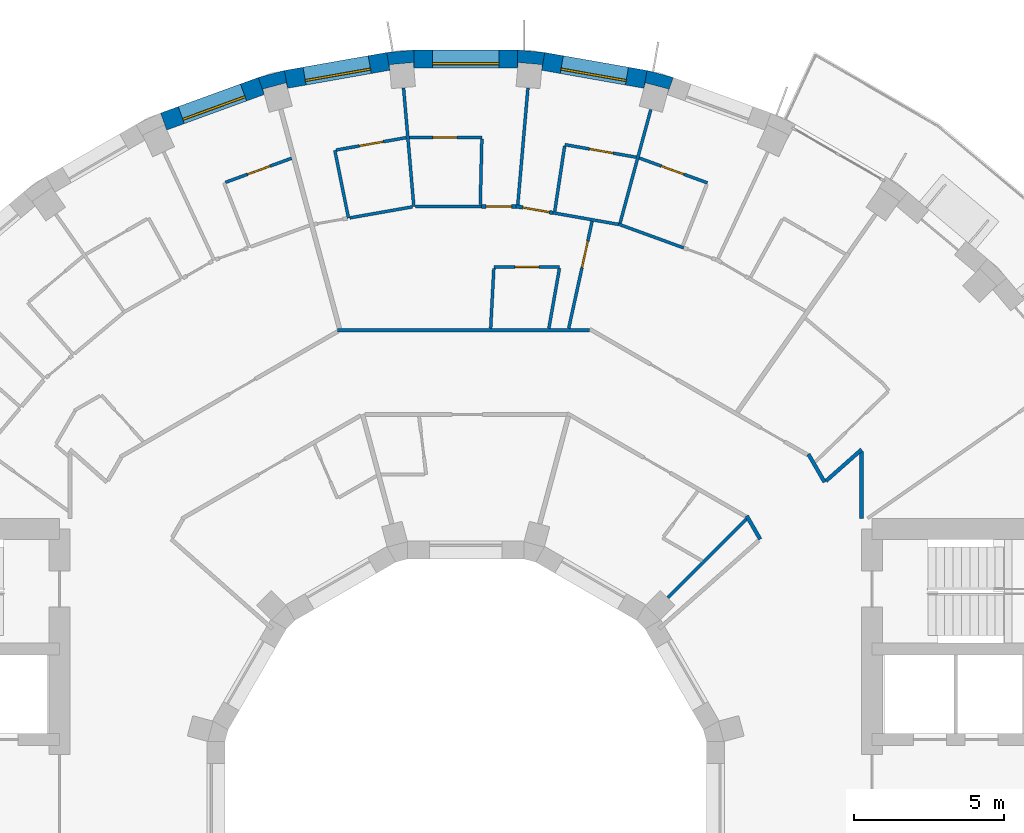
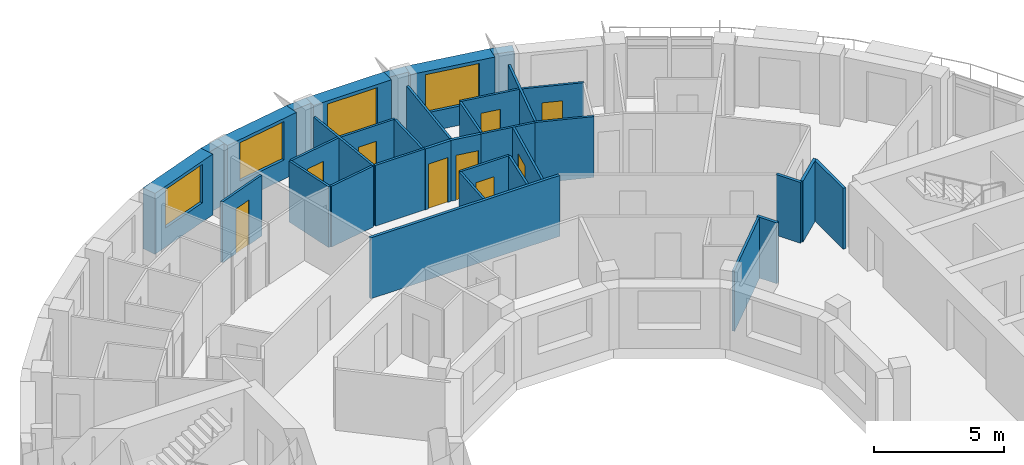
# One storey, part 12 of 15: 35 walls, 9 doors, 4 windows, 13 openings.
"""IFC4 building model written with IfcOpenShell, lengths in metres."""

from ifc_helpers import new_model, si_unit, direction, frame, frame_2d, origin, place, context, subcontext, project, spatial, polyline, rectangle, outline, extrude, material, layer, layer_set, type_object, element, fill, save


model = new_model("IFC4")

# Units and contexts
model_context = context("Model", 3, precision=1e-05, world=origin(), true_north=direction((0.0, 1.0)))
body_context = subcontext(model_context, "Body", "Model", "MODEL_VIEW")
ifc_project = project(units=[si_unit("LENGTHUNIT", "METRE"), si_unit("AREAUNIT", "SQUARE_METRE"), si_unit("VOLUMEUNIT", "CUBIC_METRE"), si_unit("PLANEANGLEUNIT", "RADIAN"), si_unit("MASSUNIT", "GRAM", prefix="KILO")], contexts=[model_context])

# Site, building, storey
site_placement = place(None, origin())
site = spatial("IfcSite", under=ifc_project, at=site_placement, CompositionType="ELEMENT")
building_placement = place(site_placement, origin())
building = spatial("IfcBuilding", under=site, at=building_placement, Name="Saqina Gate Tower", CompositionType="ELEMENT")
storey_placement = place(building_placement, frame((0.0, 0.0, 197.10009765625)))
storey = spatial("IfcBuildingStorey", under=building, at=storey_placement, Name="L56", CompositionType="ELEMENT", Elevation=197.10009765625)

# Walls
ifc_material_1 = material(Name="Brick masonry (buff)", Category="masonry")
wall_type_1 = type_object("IfcWallType", Name="BRICK PIER COPING BUFF", PredefinedType="SOLIDWALL", material=ifc_material_1)
wall_1_placement = place(storey_placement, origin())
element("IfcWall", 1, at=wall_1_placement, inside=storey, type_object=wall_type_1, Name="Pier cap L56 column 8", PredefinedType="SOLIDWALL", context=body_context, shape_type="SweptSolid", body=[
    extrude(outline(polyline([(6.0234375, 24.22705078125), (5.919189453125, 23.635986328125), (5.967529296875, 23.81689453125), (6.740478515625, 23.610107421875), (6.69189453125, 23.428955078125), (6.897216796875, 23.992919921875), (6.0234375, 24.22705078125)])), origin(), (0.0, 0.0, 1.0), 2.849853515625),
])
wall_2_placement = place(storey_placement, origin())
element("IfcWall", 2, at=wall_2_placement, inside=storey, type_object=wall_type_1, Name="Pier cap L56 column 9", PredefinedType="SOLIDWALL", context=body_context, shape_type="SweptSolid", body=[
    extrude(outline(polyline([(2.6259765625, 24.825927734375), (1.724853515625, 24.90478515625), (1.724853515625, 24.304931640625), (1.7412109375, 24.491455078125), (2.5380859375, 24.421630859375), (2.521728515625, 24.235107421875), (2.6259765625, 24.825927734375)])), origin(), (0.0, 0.0, 1.0), 2.849853515625),
])
wall_3_placement = place(storey_placement, origin())
element("IfcWall", 3, at=wall_3_placement, inside=storey, type_object=wall_type_1, Name="Pier cap L56 column 10", PredefinedType="SOLIDWALL", context=body_context, shape_type="SweptSolid", body=[
    extrude(outline(polyline([(-1.724853515625, 24.90478515625), (-2.6259765625, 24.825927734375), (-2.521728515625, 24.235107421875), (-2.5380859375, 24.421630859375), (-1.7412109375, 24.491455078125), (-1.724853515625, 24.304931640625), (-1.724853515625, 24.90478515625)])), origin(), (0.0, 0.0, 1.0), 2.849853515625),
])
wall_4_placement = place(storey_placement, origin())
element("IfcWall", 4, at=wall_4_placement, inside=storey, type_object=wall_type_1, Name="Pier cap L56 column 11", PredefinedType="SOLIDWALL", context=body_context, shape_type="SweptSolid", body=[
    extrude(outline(polyline([(-6.0234375, 24.22705078125), (-6.897216796875, 23.992919921875), (-6.69189453125, 23.428955078125), (-6.740478515625, 23.610107421875), (-5.967529296875, 23.81689453125), (-5.919189453125, 23.635986328125), (-6.0234375, 24.22705078125)])), origin(), (0.0, 0.0, 1.0), 2.849853515625),
])

# Wall, opening, window
ifc_material_2 = material(Name="Brick masonry (buff)", Category="masonry")
ifc_layer_1 = layer(ifc_material_2, 0.60009765625)
ifc_layer_set_1 = layer_set([ifc_layer_1], Name="FW-BRICK-BUFF")
wall_type_2 = type_object("IfcWallType", Name="FW-BRICK-BUFF", PredefinedType="SOLIDWALL", material=ifc_layer_set_1)
wall_5_placement = place(storey_placement, frame((5.97119140625, 23.931640625, 0.0), z_axis=(0.0, 0.0, 1.0), x_axis=(-0.984814892183, 0.173607684551, 0.0)))
wall_5 = element("IfcWall", 5, at=wall_5_placement, inside=storey, type_object=wall_type_2, Name="Facade wall L56 facet 8", PredefinedType="SOLIDWALL", context=body_context, shape_type="SweptSolid", body=[
    extrude(rectangle(XDim=3.44970703125, YDim=0.60009765625, at=frame_2d((1.724853515625, 0.0))), origin(), (0.0, 0.0, 1.0), 2.849853515625),
])
opening_1_placement = place(wall_5_placement, frame((0.625, 0.0, 0.89990234375)))
opening_1 = element("IfcOpeningElement", 6, at=opening_1_placement, cuts=wall_5, Name="Opening G16-W02", PredefinedType="OPENING", context=body_context, shape_type="SweptSolid", body=[
    extrude(rectangle(XDim=2.199951171875, YDim=1.800048828125, at=frame_2d((1.10009765625, 0.89990234375))), frame((0.0, 0.31201171875, 0.0), z_axis=(0.0, -1.0, 0.0), x_axis=(1.0, 0.0, 0.0)), (0.0, 0.0, 1.0), 0.6240234375),
])
ifc_material_3 = material(Name="Aluminium glazing", Category="aluminium")
window_type = type_object("IfcWindowType", Name="WN-C", PartitioningType="SINGLE_PANEL", PredefinedType="WINDOW", material=ifc_material_3)
window_1_placement = place(opening_1_placement, origin())
window_1 = element("IfcWindow", 7, at=window_1_placement, inside=storey, type_object=window_type, Name="Window L56 facet 8", OverallHeight=1.800048828125, OverallWidth=2.199951171875, PartitioningType="SINGLE_PANEL", PredefinedType="WINDOW", context=body_context, shape_type="SweptSolid", body=[
    extrude(rectangle(XDim=2.199951171875, YDim=1.800048828125, at=frame_2d((1.10009765625, 0.89990234375))), frame((0.0, 0.179931640625, 0.0), z_axis=(0.0, -1.0, 0.0), x_axis=(1.0, 0.0, 0.0)), (0.0, 0.0, 1.0), 0.06005859375),
])
fill(opening_1, window_1)

wall_6_placement = place(storey_placement, frame((1.724853515625, 24.60498046875, 0.0), z_axis=(0.0, 0.0, 1.0), x_axis=(-1.0, 0.0, 0.0)))
wall_6 = element("IfcWall", 8, at=wall_6_placement, inside=storey, type_object=wall_type_2, Name="Facade wall L56 facet 9", PredefinedType="SOLIDWALL", context=body_context, shape_type="SweptSolid", body=[
    extrude(rectangle(XDim=3.44970703125, YDim=0.60009765625, at=frame_2d((1.724853515625, 0.0))), origin(), (0.0, 0.0, 1.0), 2.849853515625),
])
opening_2_placement = place(wall_6_placement, frame((0.625, 0.0, 0.89990234375)))
opening_2 = element("IfcOpeningElement", 9, at=opening_2_placement, cuts=wall_6, Name="Opening G16-W03", PredefinedType="OPENING", context=body_context, shape_type="SweptSolid", body=[
    extrude(rectangle(XDim=2.199951171875, YDim=1.800048828125, at=frame_2d((1.10009765625, 0.89990234375))), frame((0.0, 0.31201171875, 0.0), z_axis=(0.0, -1.0, 0.0), x_axis=(1.0, 0.0, 0.0)), (0.0, 0.0, 1.0), 0.6240234375),
])
window_2_placement = place(opening_2_placement, origin())
window_2 = element("IfcWindow", 10, at=window_2_placement, inside=storey, type_object=window_type, Name="Window L56 facet 9", OverallHeight=1.800048828125, OverallWidth=2.199951171875, PartitioningType="SINGLE_PANEL", PredefinedType="WINDOW", context=body_context, shape_type="SweptSolid", body=[
    extrude(rectangle(XDim=2.199951171875, YDim=1.800048828125, at=frame_2d((1.10009765625, 0.89990234375))), frame((0.0, 0.179931640625, 0.0), z_axis=(0.0, -1.0, 0.0), x_axis=(1.0, 0.0, 0.0)), (0.0, 0.0, 1.0), 0.06005859375),
])
fill(opening_2, window_2)

wall_7_placement = place(storey_placement, frame((-2.573974609375, 24.530517578125, 0.0), z_axis=(0.0, 0.0, 1.0), x_axis=(-0.984814892183, -0.173607684551, 0.0)))
wall_7 = element("IfcWall", 11, at=wall_7_placement, inside=storey, type_object=wall_type_2, Name="Facade wall L56 facet 10", PredefinedType="SOLIDWALL", context=body_context, shape_type="SweptSolid", body=[
    extrude(rectangle(XDim=3.44970703125, YDim=0.60009765625, at=frame_2d((1.724853515625, 0.0))), origin(), (0.0, 0.0, 1.0), 2.849853515625),
])
opening_3_placement = place(wall_7_placement, frame((0.625, 0.0, 0.89990234375)))
opening_3 = element("IfcOpeningElement", 12, at=opening_3_placement, cuts=wall_7, Name="Opening G16-W04", PredefinedType="OPENING", context=body_context, shape_type="SweptSolid", body=[
    extrude(rectangle(XDim=2.199951171875, YDim=1.800048828125, at=frame_2d((1.10009765625, 0.89990234375))), frame((0.0, 0.31201171875, 0.0), z_axis=(0.0, -1.0, 0.0), x_axis=(1.0, 0.0, 0.0)), (0.0, 0.0, 1.0), 0.6240234375),
])
window_3_placement = place(opening_3_placement, origin())
window_3 = element("IfcWindow", 13, at=window_3_placement, inside=storey, type_object=window_type, Name="Window L56 facet 10", OverallHeight=1.800048828125, OverallWidth=2.199951171875, PartitioningType="SINGLE_PANEL", PredefinedType="WINDOW", context=body_context, shape_type="SweptSolid", body=[
    extrude(rectangle(XDim=2.199951171875, YDim=1.800048828125, at=frame_2d((1.10009765625, 0.89990234375))), frame((0.0, 0.179931640625, 0.0), z_axis=(0.0, -1.0, 0.0), x_axis=(1.0, 0.0, 0.0)), (0.0, 0.0, 1.0), 0.06005859375),
])
fill(opening_3, window_3)

wall_8_placement = place(storey_placement, frame((-6.79443359375, 23.7109375, 0.0), z_axis=(0.0, 0.0, 1.0), x_axis=(-0.93968799822, -0.342032843455, 0.0)))
wall_8 = element("IfcWall", 14, at=wall_8_placement, inside=storey, type_object=wall_type_2, Name="Facade wall L56 facet 11", PredefinedType="SOLIDWALL", context=body_context, shape_type="SweptSolid", body=[
    extrude(rectangle(XDim=3.44970703125, YDim=0.60009765625, at=frame_2d((1.724853515625, 0.0))), origin(), (0.0, 0.0, 1.0), 2.849853515625),
])
opening_4_placement = place(wall_8_placement, frame((0.625, 0.0, 0.89990234375)))
opening_4 = element("IfcOpeningElement", 15, at=opening_4_placement, cuts=wall_8, Name="Opening G16-W05", PredefinedType="OPENING", context=body_context, shape_type="SweptSolid", body=[
    extrude(rectangle(XDim=2.199951171875, YDim=1.800048828125, at=frame_2d((1.10009765625, 0.89990234375))), frame((0.0, 0.31201171875, 0.0), z_axis=(0.0, -1.0, 0.0), x_axis=(1.0, 0.0, 0.0)), (0.0, 0.0, 1.0), 0.6240234375),
])
window_4_placement = place(opening_4_placement, origin())
window_4 = element("IfcWindow", 16, at=window_4_placement, inside=storey, type_object=window_type, Name="Window L56 facet 11", OverallHeight=1.800048828125, OverallWidth=2.199951171875, PartitioningType="SINGLE_PANEL", PredefinedType="WINDOW", context=body_context, shape_type="SweptSolid", body=[
    extrude(rectangle(XDim=2.199951171875, YDim=1.800048828125, at=frame_2d((1.10009765625, 0.89990234375))), frame((0.0, 0.179931640625, 0.0), z_axis=(0.0, -1.0, 0.0), x_axis=(1.0, 0.0, 0.0)), (0.0, 0.0, 1.0), 0.06005859375),
])
fill(opening_4, window_4)

# Walls
ifc_material_4 = material(Name="Gypsum board on steel studs, 100 mm", Category="steel")
ifc_layer_2 = layer(ifc_material_4, 0.10009765625)
ifc_layer_set_2 = layer_set([ifc_layer_2], Name="PARTITION 100")
wall_type_3 = type_object("IfcWallType", Name="PARTITION 100", PredefinedType="PARTITIONING", material=ifc_layer_set_2)
wall_9_placement = place(storey_placement, frame((-2.066162109375, 23.64990234375, 0.0), z_axis=(0.0, 0.0, 1.0), x_axis=(0.086382173885, -0.996262073972, 0.0)))
element("IfcWall", 17, at=wall_9_placement, inside=storey, type_object=wall_type_3, Name="PARTITION PW3-02", PredefinedType="PARTITIONING", context=body_context, shape_type="SweptSolid", body=[
    extrude(rectangle(XDim=3.959716796875, YDim=0.10009765625, at=frame_2d((1.97998046875, 0.0))), origin(), (0.0, 0.0, 1.0), 2.849853515625),
])
wall_10_placement = place(storey_placement, frame((-4.35009765625, 21.576904296875, 0.0), z_axis=(0.0, 0.0, 1.0), x_axis=(0.197830277374, -0.980236288532, 0.0)))
element("IfcWall", 18, at=wall_10_placement, inside=storey, type_object=wall_type_3, Name="PARTITION PW3-07", PredefinedType="PARTITIONING", context=body_context, shape_type="SweptSolid", body=[
    extrude(rectangle(XDim=2.30029296875, YDim=0.10009765625, at=frame_2d((1.150146484375, 0.0))), origin(), (0.0, 0.0, 1.0), 2.849853515625),
])
wall_11_placement = place(storey_placement, frame((5.0712890625, 19.123291015625, 0.0), z_axis=(0.0, 0.0, 1.0), x_axis=(0.939734670151, -0.34190459154, 0.0)))
element("IfcWall", 19, at=wall_11_placement, inside=storey, type_object=wall_type_3, Name="PARTITION PW3-45", PredefinedType="PARTITIONING", context=body_context, shape_type="SweptSolid", body=[
    extrude(rectangle(XDim=2.3056640625, YDim=0.10009765625, at=frame_2d((1.15283203125, 0.0))), origin(), (0.0, 0.0, 1.0), 2.849853515625),
])

# Wall, opening, door
wall_12_placement = place(storey_placement, frame((5.763916015625, 21.31884765625, 0.0), z_axis=(0.0, 0.0, 1.0), x_axis=(0.939672176826, -0.342076307422, 0.0)))
wall_12 = element("IfcWall", 20, at=wall_12_placement, inside=storey, type_object=wall_type_3, Name="PARTITION PW3-46", PredefinedType="PARTITIONING", context=body_context, shape_type="SweptSolid", body=[
    extrude(rectangle(XDim=2.41162109375, YDim=0.10009765625, at=frame_2d((1.205810546875, 0.0))), origin(), (0.0, 0.0, 1.0), 2.849853515625),
])
opening_5_placement = place(wall_12_placement, frame((0.78076171875, 0.0, 0.0)))
opening_5 = element("IfcOpeningElement", 21, at=opening_5_placement, cuts=wall_12, Name="Opening G16-D10", PredefinedType="OPENING", context=body_context, shape_type="SweptSolid", body=[
    extrude(rectangle(XDim=0.800048828125, YDim=2.10009765625, at=frame_2d((0.39990234375, 1.050048828125))), frame((0.0, 0.06201171875, 0.0), z_axis=(0.0, -1.0, 0.0), x_axis=(1.0, 0.0, 0.0)), (0.0, 0.0, 1.0), 0.1240234375),
])
ifc_material_5 = material(Name="Timber door leaf, 800 mm", Category="wood")
door_type_1 = type_object("IfcDoorType", Name="DOOR 800 TIMBER", OperationType="SINGLE_SWING_LEFT", PredefinedType="DOOR", material=ifc_material_5)
door_1_placement = place(opening_5_placement, origin())
door_1 = element("IfcDoor", 22, at=door_1_placement, inside=storey, type_object=door_type_1, Name="DOOR G16-D10", OperationType="SINGLE_SWING_LEFT", OverallHeight=2.10009765625, OverallWidth=0.800048828125, PredefinedType="DOOR", context=body_context, shape_type="SweptSolid", body=[
    extrude(rectangle(XDim=0.800048828125, YDim=2.10009765625, at=frame_2d((0.39990234375, 1.050048828125))), frame((0.0, 0.02490234375, 0.0), z_axis=(0.0, -1.0, 0.0), x_axis=(1.0, 0.0, 0.0)), (0.0, 0.0, 1.0), 0.050048828125),
])
fill(opening_5, door_1)

# Wall
wall_13_placement = place(storey_placement, frame((2.898681640625, 19.497802734375, 0.0), z_axis=(0.0, 0.0, 1.0), x_axis=(0.984790246942, -0.173747430277, 0.0)))
element("IfcWall", 23, at=wall_13_placement, inside=storey, type_object=wall_type_3, Name="PARTITION PW3-49", PredefinedType="PARTITIONING", context=body_context, shape_type="SweptSolid", body=[
    extrude(rectangle(XDim=2.20458984375, YDim=0.10009765625, at=frame_2d((1.102294921875, 0.0))), origin(), (0.0, 0.0, 1.0), 2.849853515625),
])

# Wall, opening, door
wall_14_placement = place(storey_placement, frame((3.29296875, 21.763916015625, 0.0), z_axis=(0.0, 0.0, 1.0), x_axis=(0.984775404062, -0.173831537861, 0.0)))
wall_14 = element("IfcWall", 24, at=wall_14_placement, inside=storey, type_object=wall_type_3, Name="PARTITION PW3-50", PredefinedType="PARTITIONING", context=body_context, shape_type="SweptSolid", body=[
    extrude(rectangle(XDim=2.411376953125, YDim=0.10009765625, at=frame_2d((1.20556640625, 0.0))), origin(), (0.0, 0.0, 1.0), 2.849853515625),
])
opening_6_placement = place(wall_14_placement, frame((0.830810546875, 0.0, 0.0)))
opening_6 = element("IfcOpeningElement", 25, at=opening_6_placement, cuts=wall_14, Name="Opening G16-D12", PredefinedType="OPENING", context=body_context, shape_type="SweptSolid", body=[
    extrude(rectangle(XDim=0.800048828125, YDim=2.10009765625, at=frame_2d((0.39990234375, 1.050048828125))), frame((0.0, 0.06201171875, 0.0), z_axis=(0.0, -1.0, 0.0), x_axis=(1.0, 0.0, 0.0)), (0.0, 0.0, 1.0), 0.1240234375),
])
door_2_placement = place(opening_6_placement, origin())
door_2 = element("IfcDoor", 26, at=door_2_placement, inside=storey, type_object=door_type_1, Name="DOOR G16-D12", OperationType="SINGLE_SWING_RIGHT", OverallHeight=2.10009765625, OverallWidth=0.800048828125, PredefinedType="DOOR", context=body_context, shape_type="SweptSolid", body=[
    extrude(rectangle(XDim=0.800048828125, YDim=2.10009765625, at=frame_2d((0.39990234375, 1.050048828125))), frame((0.0, 0.02490234375, 0.0), z_axis=(0.0, -1.0, 0.0), x_axis=(1.0, 0.0, 0.0)), (0.0, 0.0, 1.0), 0.050048828125),
])
fill(opening_6, door_2)

wall_15_placement = place(storey_placement, frame((0.93603515625, 17.699951171875, 0.0), z_axis=(0.0, 0.0, 1.0), x_axis=(1.0, 0.0, 0.0)))
wall_15 = element("IfcWall", 27, at=wall_15_placement, inside=storey, type_object=wall_type_3, Name="PARTITION PW3-56", PredefinedType="PARTITIONING", context=body_context, shape_type="SweptSolid", body=[
    extrude(rectangle(XDim=2.18505859375, YDim=0.10009765625, at=frame_2d((1.092529296875, 0.0))), origin(), (0.0, 0.0, 1.0), 2.849853515625),
])
opening_7_placement = place(wall_15_placement, frame((0.6923828125, 0.0, 0.0)))
opening_7 = element("IfcOpeningElement", 28, at=opening_7_placement, cuts=wall_15, Name="Opening G16-D14", PredefinedType="OPENING", context=body_context, shape_type="SweptSolid", body=[
    extrude(rectangle(XDim=0.800048828125, YDim=2.10009765625, at=frame_2d((0.39990234375, 1.050048828125))), frame((0.0, 0.06201171875, 0.0), z_axis=(0.0, -1.0, 0.0), x_axis=(1.0, 0.0, 0.0)), (0.0, 0.0, 1.0), 0.1240234375),
])
door_3_placement = place(opening_7_placement, origin())
door_3 = element("IfcDoor", 29, at=door_3_placement, inside=storey, type_object=door_type_1, Name="DOOR G16-D14", OperationType="SINGLE_SWING_RIGHT", OverallHeight=2.10009765625, OverallWidth=0.800048828125, PredefinedType="DOOR", context=body_context, shape_type="SweptSolid", body=[
    extrude(rectangle(XDim=0.800048828125, YDim=2.10009765625, at=frame_2d((0.39990234375, 1.050048828125))), frame((0.0, 0.02490234375, 0.0), z_axis=(0.0, -1.0, 0.0), x_axis=(1.0, 0.0, 0.0)), (0.0, 0.0, 1.0), 0.050048828125),
])
fill(opening_7, door_3)

# Wall
wall_16_placement = place(storey_placement, frame((-1.674072265625, 19.705078125, 0.0), z_axis=(0.0, 0.0, 1.0), x_axis=(1.0, 0.0, 0.0)))
element("IfcWall", 30, at=wall_16_placement, inside=storey, type_object=wall_type_3, Name="PARTITION PW3-57", PredefinedType="PARTITIONING", context=body_context, shape_type="SweptSolid", body=[
    extrude(rectangle(XDim=2.205078125, YDim=0.10009765625, at=frame_2d((1.1025390625, 0.0))), origin(), (0.0, 0.0, 1.0), 2.849853515625),
])

# Wall, opening, door
wall_17_placement = place(storey_placement, frame((-1.875, 22.0048828125, 0.0), z_axis=(0.0, 0.0, 1.0), x_axis=(1.0, 0.0, 0.0)))
wall_17 = element("IfcWall", 31, at=wall_17_placement, inside=storey, type_object=wall_type_3, Name="PARTITION PW3-58", PredefinedType="PARTITIONING", context=body_context, shape_type="SweptSolid", body=[
    extrude(rectangle(XDim=2.412109375, YDim=0.10009765625, at=frame_2d((1.2060546875, 0.0))), origin(), (0.0, 0.0, 1.0), 2.849853515625),
])
opening_8_placement = place(wall_17_placement, frame((0.781005859375, 0.0, 0.0)))
opening_8 = element("IfcOpeningElement", 32, at=opening_8_placement, cuts=wall_17, Name="Opening G16-D17", PredefinedType="OPENING", context=body_context, shape_type="SweptSolid", body=[
    extrude(rectangle(XDim=0.800048828125, YDim=2.10009765625, at=frame_2d((0.39990234375, 1.050048828125))), frame((0.0, 0.06201171875, 0.0), z_axis=(0.0, -1.0, 0.0), x_axis=(1.0, 0.0, 0.0)), (0.0, 0.0, 1.0), 0.1240234375),
])
door_4_placement = place(opening_8_placement, origin())
door_4 = element("IfcDoor", 33, at=door_4_placement, inside=storey, type_object=door_type_1, Name="DOOR G16-D17", OperationType="SINGLE_SWING_LEFT", OverallHeight=2.10009765625, OverallWidth=0.800048828125, PredefinedType="DOOR", context=body_context, shape_type="SweptSolid", body=[
    extrude(rectangle(XDim=0.800048828125, YDim=2.10009765625, at=frame_2d((0.39990234375, 1.050048828125))), frame((0.0, 0.02490234375, 0.0), z_axis=(0.0, -1.0, 0.0), x_axis=(1.0, 0.0, 0.0)), (0.0, 0.0, 1.0), 0.050048828125),
])
fill(opening_8, door_4)

# Wall
wall_18_placement = place(storey_placement, frame((-3.845703125, 19.33056640625, 0.0), z_axis=(0.0, 0.0, 1.0), x_axis=(0.984784726653, 0.173778716047, 0.0)))
element("IfcWall", 34, at=wall_18_placement, inside=storey, type_object=wall_type_3, Name="PARTITION PW3-61", PredefinedType="PARTITIONING", context=body_context, shape_type="SweptSolid", body=[
    extrude(rectangle(XDim=2.1044921875, YDim=0.10009765625, at=frame_2d((1.05224609375, 0.0))), origin(), (0.0, 0.0, 1.0), 2.849853515625),
])

# Wall, opening, door
wall_19_placement = place(storey_placement, frame((-4.30078125, 21.585693359375, 0.0), z_axis=(0.0, 0.0, 1.0), x_axis=(0.984779397408, 0.173808913582, 0.0)))
wall_19 = element("IfcWall", 35, at=wall_19_placement, inside=storey, type_object=wall_type_3, Name="PARTITION PW3-62", PredefinedType="PARTITIONING", context=body_context, shape_type="SweptSolid", body=[
    extrude(rectangle(XDim=2.362548828125, YDim=0.10009765625, at=frame_2d((1.18115234375, 0.0))), origin(), (0.0, 0.0, 1.0), 2.849853515625),
])
opening_9_placement = place(wall_19_placement, frame((0.78125, 0.0, 0.0)))
opening_9 = element("IfcOpeningElement", 36, at=opening_9_placement, cuts=wall_19, Name="Opening G16-D19", PredefinedType="OPENING", context=body_context, shape_type="SweptSolid", body=[
    extrude(rectangle(XDim=0.800048828125, YDim=2.10009765625, at=frame_2d((0.39990234375, 1.050048828125))), frame((0.0, 0.06201171875, 0.0), z_axis=(0.0, -1.0, 0.0), x_axis=(1.0, 0.0, 0.0)), (0.0, 0.0, 1.0), 0.1240234375),
])
door_5_placement = place(opening_9_placement, origin())
door_5 = element("IfcDoor", 37, at=door_5_placement, inside=storey, type_object=door_type_1, Name="DOOR G16-D19", OperationType="SINGLE_SWING_LEFT", OverallHeight=2.10009765625, OverallWidth=0.800048828125, PredefinedType="DOOR", context=body_context, shape_type="SweptSolid", body=[
    extrude(rectangle(XDim=0.800048828125, YDim=2.10009765625, at=frame_2d((0.39990234375, 1.050048828125))), frame((0.0, 0.02490234375, 0.0), z_axis=(0.0, -1.0, 0.0), x_axis=(1.0, 0.0, 0.0)), (0.0, 0.0, 1.0), 0.050048828125),
])
fill(opening_9, door_5)

wall_20_placement = place(storey_placement, frame((-7.98291015625, 20.510986328125, 0.0), z_axis=(0.0, 0.0, 1.0), x_axis=(0.939652995513, 0.342128993251, 0.0)))
wall_20 = element("IfcWall", 38, at=wall_20_placement, inside=storey, type_object=wall_type_3, Name="PARTITION PW3-66", PredefinedType="PARTITIONING", context=body_context, shape_type="SweptSolid", body=[
    extrude(rectangle(XDim=2.336181640625, YDim=0.10009765625, at=frame_2d((1.16796875, 0.0))), origin(), (0.0, 0.0, 1.0), 2.849853515625),
])
opening_10_placement = place(wall_20_placement, frame((0.78076171875, 0.0, 0.0)))
opening_10 = element("IfcOpeningElement", 39, at=opening_10_placement, cuts=wall_20, Name="Opening G16-D21", PredefinedType="OPENING", context=body_context, shape_type="SweptSolid", body=[
    extrude(rectangle(XDim=0.800048828125, YDim=2.10009765625, at=frame_2d((0.39990234375, 1.050048828125))), frame((0.0, 0.06201171875, 0.0), z_axis=(0.0, -1.0, 0.0), x_axis=(1.0, 0.0, 0.0)), (0.0, 0.0, 1.0), 0.1240234375),
])
door_6_placement = place(opening_10_placement, origin())
door_6 = element("IfcDoor", 40, at=door_6_placement, inside=storey, type_object=door_type_1, Name="DOOR G16-D21", OperationType="SINGLE_SWING_RIGHT", OverallHeight=2.10009765625, OverallWidth=0.800048828125, PredefinedType="DOOR", context=body_context, shape_type="SweptSolid", body=[
    extrude(rectangle(XDim=0.800048828125, YDim=2.10009765625, at=frame_2d((0.39990234375, 1.050048828125))), frame((0.0, 0.02490234375, 0.0), z_axis=(0.0, -1.0, 0.0), x_axis=(1.0, 0.0, 0.0)), (0.0, 0.0, 1.0), 0.050048828125),
])
fill(opening_10, door_6)

# Walls
wall_21_placement = place(storey_placement, frame((6.7119140625, 6.7119140625, 0.0), z_axis=(0.0, 0.0, 1.0), x_axis=(0.707106781187, 0.707106781187, 0.0)))
element("IfcWall", 41, at=wall_21_placement, inside=storey, type_object=wall_type_3, Name="PARTITION PW3-80", PredefinedType="PARTITIONING", context=body_context, shape_type="SweptSolid", body=[
    extrude(rectangle(XDim=3.69677734375, YDim=0.10009765625, at=frame_2d((1.848388671875, 0.0))), origin(), (0.0, 0.0, 1.0), 2.849853515625),
])
wall_22_placement = place(storey_placement, frame((5.126953125, 19.155517578125, 0.0), z_axis=(0.0, 0.0, 1.0), x_axis=(0.261236113371, 0.965274931339, 0.0)))
element("IfcWall", 42, at=wall_22_placement, inside=storey, type_object=wall_type_3, Name="PARTITION PW3-93", PredefinedType="PARTITIONING", context=body_context, shape_type="SweptSolid", body=[
    extrude(rectangle(XDim=3.91015625, YDim=0.10009765625, at=frame_2d((1.955078125, 0.0))), origin(), (0.0, 0.0, 1.0), 2.849853515625),
])

# Wall, opening, door
wall_23_placement = place(storey_placement, frame((3.42138671875, 15.6611328125, 0.0), z_axis=(0.0, 0.0, 1.0), x_axis=(0.213434819618, 0.976957306014, 0.0)))
wall_23 = element("IfcWall", 43, at=wall_23_placement, inside=storey, type_object=wall_type_3, Name="PARTITION PW3-95", PredefinedType="PARTITIONING", context=body_context, shape_type="SweptSolid", body=[
    extrude(rectangle(XDim=3.639892578125, YDim=0.10009765625, at=frame_2d((1.81982421875, 0.0))), origin(), (0.0, 0.0, 1.0), 2.849853515625),
])
opening_11_placement = place(wall_23_placement, frame((2.063720703125, 0.0, 0.0)))
opening_11 = element("IfcOpeningElement", 44, at=opening_11_placement, cuts=wall_23, Name="Opening G16-D11", PredefinedType="OPENING", context=body_context, shape_type="SweptSolid", body=[
    extrude(rectangle(XDim=0.89990234375, YDim=2.10009765625, at=frame_2d((0.449951171875, 1.050048828125))), frame((0.0, 0.06201171875, 0.0), z_axis=(0.0, -1.0, 0.0), x_axis=(1.0, 0.0, 0.0)), (0.0, 0.0, 1.0), 0.1240234375),
])
ifc_material_6 = material(Name="Timber door leaf, 900 mm", Category="wood")
door_type_2 = type_object("IfcDoorType", Name="DOOR 900 TIMBER", OperationType="SINGLE_SWING_LEFT", PredefinedType="DOOR", material=ifc_material_6)
door_7_placement = place(opening_11_placement, origin())
door_7 = element("IfcDoor", 45, at=door_7_placement, inside=storey, type_object=door_type_2, Name="DOOR G16-D11", OperationType="SINGLE_SWING_LEFT", OverallHeight=2.10009765625, OverallWidth=0.89990234375, PredefinedType="DOOR", context=body_context, shape_type="SweptSolid", body=[
    extrude(rectangle(XDim=0.89990234375, YDim=2.10009765625, at=frame_2d((0.449951171875, 1.050048828125))), frame((0.0, 0.02490234375, 0.0), z_axis=(0.0, -1.0, 0.0), x_axis=(1.0, 0.0, 0.0)), (0.0, 0.0, 1.0), 0.050048828125),
])
fill(opening_11, door_7)

# Walls
wall_24_placement = place(storey_placement, frame((2.761962890625, 15.66162109375, 0.0), z_axis=(0.0, 0.0, 1.0), x_axis=(0.17344745746, 0.98484312431, 0.0)))
element("IfcWall", 46, at=wall_24_placement, inside=storey, type_object=wall_type_3, Name="PARTITION PW3-97", PredefinedType="PARTITIONING", context=body_context, shape_type="SweptSolid", body=[
    extrude(rectangle(XDim=2.019775390625, YDim=0.10009765625, at=frame_2d((1.009765625, 0.0))), origin(), (0.0, 0.0, 1.0), 2.849853515625),
])
wall_25_placement = place(storey_placement, frame((2.957275390625, 19.55078125, 0.0), z_axis=(0.0, 0.0, 1.0), x_axis=(0.149927646316, 0.988696971205, 0.0)))
element("IfcWall", 47, at=wall_25_placement, inside=storey, type_object=wall_type_3, Name="PARTITION PW3-98", PredefinedType="PARTITIONING", context=body_context, shape_type="SweptSolid", body=[
    extrude(rectangle(XDim=2.1884765625, YDim=0.10009765625, at=frame_2d((1.09423828125, 0.0))), origin(), (0.0, 0.0, 1.0), 2.849853515625),
])
wall_26_placement = place(storey_placement, frame((1.7294921875, 19.767333984375, 0.0), z_axis=(0.0, 0.0, 1.0), x_axis=(0.086389019771, 0.996261480367, 0.0)))
element("IfcWall", 48, at=wall_26_placement, inside=storey, type_object=wall_type_3, Name="PARTITION PW3-101", PredefinedType="PARTITIONING", context=body_context, shape_type="SweptSolid", body=[
    extrude(rectangle(XDim=3.897216796875, YDim=0.10009765625, at=frame_2d((1.94873046875, 0.0))), origin(), (0.0, 0.0, 1.0), 2.849853515625),
])
wall_27_placement = place(storey_placement, frame((0.828369140625, 15.662353515625, 0.0), z_axis=(0.0, 0.0, 1.0), x_axis=(0.052739078894, 0.998608326401, 0.0)))
element("IfcWall", 49, at=wall_27_placement, inside=storey, type_object=wall_type_3, Name="PARTITION PW3-103", PredefinedType="PARTITIONING", context=body_context, shape_type="SweptSolid", body=[
    extrude(rectangle(XDim=1.990478515625, YDim=0.10009765625, at=frame_2d((0.9951171875, 0.0))), origin(), (0.0, 0.0, 1.0), 2.849853515625),
])
wall_28_placement = place(storey_placement, frame((0.482421875, 19.767578125, 0.0), z_axis=(0.0, 0.0, 1.0), x_axis=(0.024434666623, 0.999701428961, 0.0)))
element("IfcWall", 50, at=wall_28_placement, inside=storey, type_object=wall_type_3, Name="PARTITION PW3-104", PredefinedType="PARTITIONING", context=body_context, shape_type="SweptSolid", body=[
    extrude(rectangle(XDim=2.188232421875, YDim=0.10009765625, at=frame_2d((1.09423828125, 0.0))), origin(), (0.0, 0.0, 1.0), 2.849853515625),
])
ifc_material_7 = material(Name="Gypsum board on steel studs, 125 mm, fire rated", Category="steel")
ifc_layer_3 = layer(ifc_material_7, 0.125)
ifc_layer_set_3 = layer_set([ifc_layer_3], Name="PARTITION EI 30 125")
wall_type_4 = type_object("IfcWallType", Name="PARTITION EI 30 125", PredefinedType="PARTITIONING", material=ifc_layer_set_3)
wall_29_placement = place(storey_placement, frame((9.333984375, 9.432373046875, 0.0), z_axis=(0.0, 0.0, 1.0), x_axis=(0.500264001326, -0.865872928886, 0.0)))
element("IfcWall", 51, at=wall_29_placement, inside=storey, type_object=wall_type_4, Name="PARTITION PW1-03", PredefinedType="PARTITIONING", context=body_context, shape_type="SweptSolid", body=[
    extrude(rectangle(XDim=0.8974609375, YDim=0.125, at=frame_2d((0.44873046875, 0.0))), origin(), (0.0, 0.0, 1.0), 2.849853515625),
])
wall_30_placement = place(storey_placement, frame((11.3837890625, 11.482421875, 0.0), z_axis=(0.0, 0.0, 1.0), x_axis=(0.500304011038, -0.865849811769, 0.0)))
element("IfcWall", 52, at=wall_30_placement, inside=storey, type_object=wall_type_4, Name="PARTITION PW1-04", PredefinedType="PARTITIONING", context=body_context, shape_type="SweptSolid", body=[
    extrude(rectangle(XDim=1.077880859375, YDim=0.125, at=frame_2d((0.5390625, 0.0))), origin(), (0.0, 0.0, 1.0), 2.849853515625),
])

# Wall, opening, door
wall_31_placement = place(storey_placement, frame((1.66162109375, 19.716064453125, 0.0), z_axis=(0.0, 0.0, 1.0), x_axis=(0.984789427994, -0.173752071961, 0.0)))
wall_31 = element("IfcWall", 53, at=wall_31_placement, inside=storey, type_object=wall_type_4, Name="PARTITION PW1-21", PredefinedType="PARTITIONING", context=body_context, shape_type="SweptSolid", body=[
    extrude(rectangle(XDim=1.256103515625, YDim=0.125, at=frame_2d((0.6279296875, 0.0))), origin(), (0.0, 0.0, 1.0), 2.849853515625),
])
opening_12_placement = place(wall_31_placement, frame((0.23486328125, 0.0, 0.0)))
opening_12 = element("IfcOpeningElement", 54, at=opening_12_placement, cuts=wall_31, Name="Opening G16-D13", PredefinedType="OPENING", context=body_context, shape_type="SweptSolid", body=[
    extrude(rectangle(XDim=0.89990234375, YDim=2.10009765625, at=frame_2d((0.449951171875, 1.050048828125))), frame((0.0, 0.074462890625, 0.0), z_axis=(0.0, -1.0, 0.0), x_axis=(1.0, 0.0, 0.0)), (0.0, 0.0, 1.0), 0.14892578125),
])
ifc_material_8 = material(Name="Fire door leaf EI 30, 900 mm")
door_type_3 = type_object("IfcDoorType", Name="DOOR 900 EI 30", OperationType="SINGLE_SWING_LEFT", PredefinedType="DOOR", material=ifc_material_8)
door_8_placement = place(opening_12_placement, frame((0.89990234375, 0.0, 0.0), z_axis=(0.0, 0.0, 1.0), x_axis=(-1.0, 0.0, 0.0)))
door_8 = element("IfcDoor", 55, at=door_8_placement, inside=storey, type_object=door_type_3, Name="DOOR G16-D13", OperationType="SINGLE_SWING_RIGHT", OverallHeight=2.10009765625, OverallWidth=0.89990234375, PredefinedType="DOOR", context=body_context, shape_type="SweptSolid", body=[
    extrude(rectangle(XDim=0.89990234375, YDim=2.10009765625, at=frame_2d((0.449951171875, 1.050048828125))), frame((0.0, 0.02490234375, 0.0), z_axis=(0.0, -1.0, 0.0), x_axis=(1.0, 0.0, 0.0)), (0.0, 0.0, 1.0), 0.050048828125),
])
fill(opening_12, door_8)

# Wall
wall_32_placement = place(storey_placement, frame((-4.2666015625, 15.60009765625, 0.0), z_axis=(0.0, 0.0, 1.0), x_axis=(1.0, 0.0, 0.0)))
element("IfcWall", 56, at=wall_32_placement, inside=storey, type_object=wall_type_4, Name="PARTITION PW1-26", PredefinedType="PARTITIONING", context=body_context, shape_type="SweptSolid", body=[
    extrude(rectangle(XDim=8.384033203125, YDim=0.125, at=frame_2d((4.19189453125, 0.0))), origin(), (0.0, 0.0, 1.0), 2.849853515625),
])

# Wall, opening, door
wall_33_placement = place(storey_placement, frame((0.531005859375, 19.705078125, 0.0), z_axis=(0.0, 0.0, 1.0), x_axis=(1.0, 0.0, 0.0)))
wall_33 = element("IfcWall", 57, at=wall_33_placement, inside=storey, type_object=wall_type_4, Name="PARTITION PW1-27", PredefinedType="PARTITIONING", context=body_context, shape_type="SweptSolid", body=[
    extrude(rectangle(XDim=1.130615234375, YDim=0.125, at=frame_2d((0.5654296875, 0.0))), origin(), (0.0, 0.0, 1.0), 2.849853515625),
])
opening_13_placement = place(wall_33_placement, frame((0.146484375, 0.0, 0.0)))
opening_13 = element("IfcOpeningElement", 58, at=opening_13_placement, cuts=wall_33, Name="Opening G16-D15", PredefinedType="OPENING", context=body_context, shape_type="SweptSolid", body=[
    extrude(rectangle(XDim=0.85009765625, YDim=2.10009765625, at=frame_2d((0.425048828125, 1.050048828125))), frame((0.0, 0.074462890625, 0.0), z_axis=(0.0, -1.0, 0.0), x_axis=(1.0, 0.0, 0.0)), (0.0, 0.0, 1.0), 0.14892578125),
])
ifc_material_9 = material(Name="Fire door leaf EI 30, 850 mm")
door_type_4 = type_object("IfcDoorType", Name="DOOR 850 EI 30", OperationType="SINGLE_SWING_LEFT", PredefinedType="DOOR", material=ifc_material_9)
door_9_placement = place(opening_13_placement, frame((0.85009765625, 0.0, 0.0), z_axis=(0.0, 0.0, 1.0), x_axis=(-1.0, 0.0, 0.0)))
door_9 = element("IfcDoor", 59, at=door_9_placement, inside=storey, type_object=door_type_4, Name="DOOR G16-D15", OperationType="SINGLE_SWING_LEFT", OverallHeight=2.10009765625, OverallWidth=0.85009765625, PredefinedType="DOOR", context=body_context, shape_type="SweptSolid", body=[
    extrude(rectangle(XDim=0.85009765625, YDim=2.10009765625, at=frame_2d((0.425048828125, 1.050048828125))), frame((0.0, 0.02490234375, 0.0), z_axis=(0.0, -1.0, 0.0), x_axis=(1.0, 0.0, 0.0)), (0.0, 0.0, 1.0), 0.050048828125),
])
fill(opening_13, door_9)

# Walls
wall_34_placement = place(storey_placement, frame((11.969970703125, 10.590087890625, 0.0), z_axis=(0.0, 0.0, 1.0), x_axis=(0.748946277056, 0.662630722261, 0.0)))
element("IfcWall", 60, at=wall_34_placement, inside=storey, type_object=wall_type_4, Name="PARTITION PW1-42", PredefinedType="PARTITIONING", context=body_context, shape_type="SweptSolid", body=[
    extrude(rectangle(XDim=1.575439453125, YDim=0.125, at=frame_2d((0.78759765625, 0.0))), origin(), (0.0, 0.0, 1.0), 2.849853515625),
])
wall_35_placement = place(storey_placement, frame((13.14990234375, 9.35009765625, 0.0), z_axis=(0.0, 0.0, 1.0), x_axis=(0.0, 1.0, 0.0)))
element("IfcWall", 61, at=wall_35_placement, inside=storey, type_object=wall_type_4, Name="PARTITION PW1-51", PredefinedType="PARTITIONING", context=body_context, shape_type="SweptSolid", body=[
    extrude(rectangle(XDim=2.221435546875, YDim=0.125, at=frame_2d((1.11083984375, 0.0))), origin(), (0.0, 0.0, 1.0), 2.849853515625),
])

save(model, "model.ifc")
